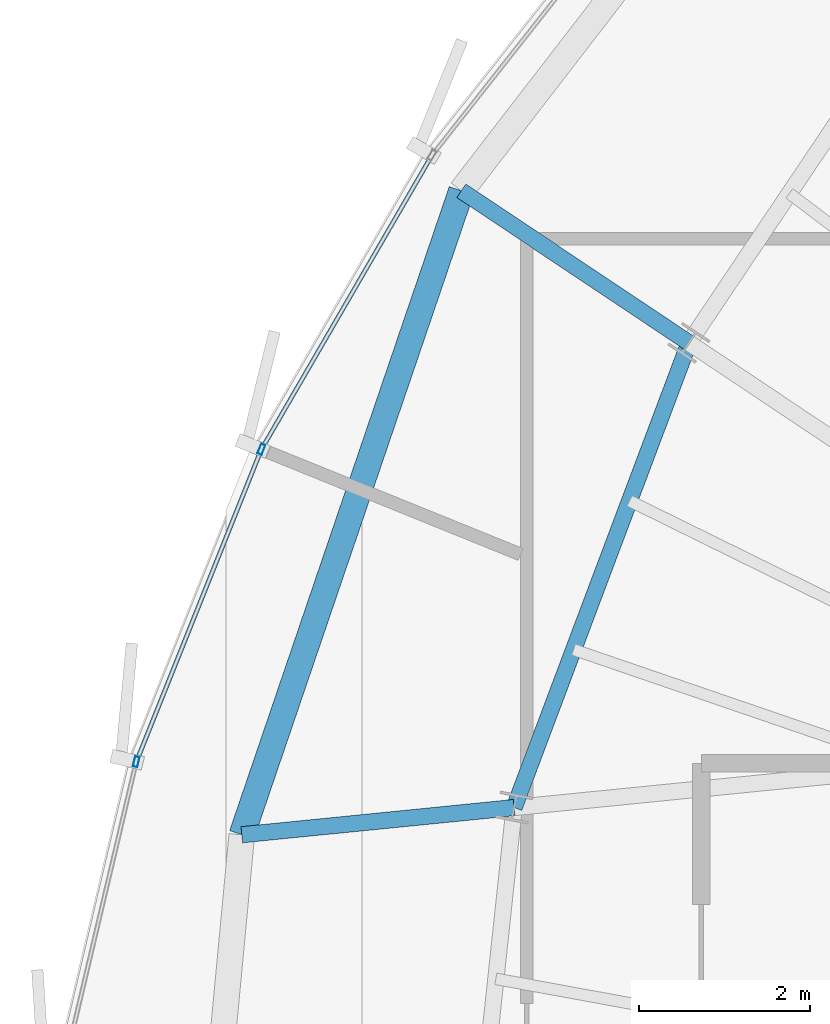
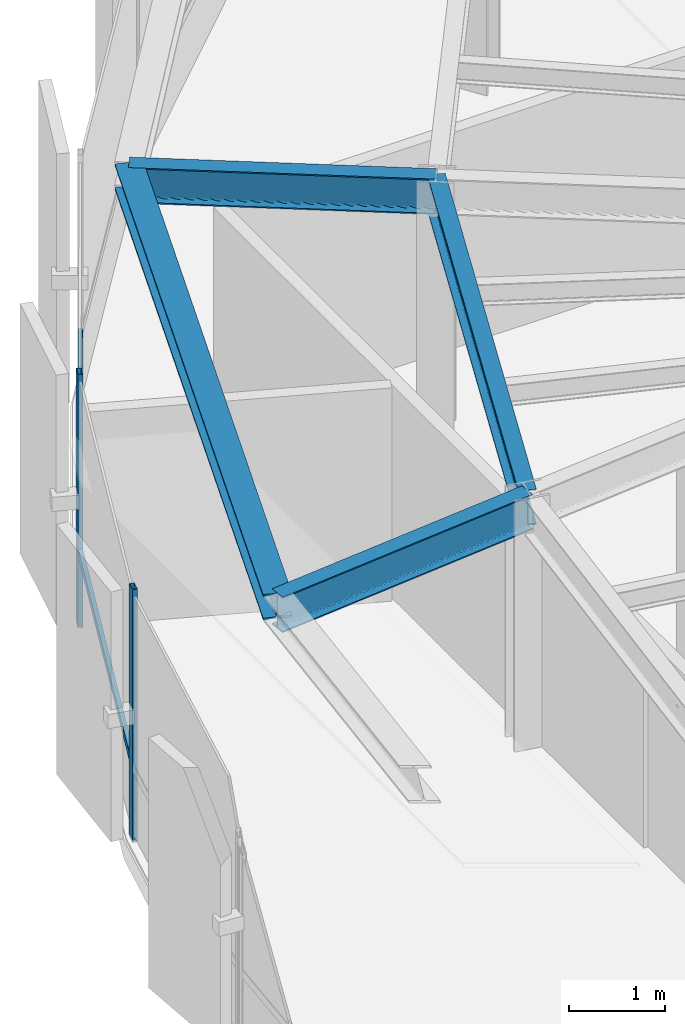
# One storey, part 11 of 34: 4 beams, 4 members, 1 element without a shape of its own.
"""IFC4 building model written with IfcOpenShell, lengths in metres."""

from ifc_helpers import new_model, si_unit, direction, frame, origin, origin_2d, place, context, subcontext, project, spatial, hollow_rectangle, i_section, extrude, source, transform, mapped, material, layer, layer_set, material_profile, profile_set, type_object, element, aggregate, save


model = new_model("IFC4")

# Units and contexts
model_context = context("Model", 3, precision=1e-05, world=origin(), true_north=direction((0.0, 1.0)))
body_context = subcontext(model_context, "Body", "Model", "MODEL_VIEW")
ifc_project = project(units=[si_unit("LENGTHUNIT", "METRE"), si_unit("AREAUNIT", "SQUARE_METRE"), si_unit("VOLUMEUNIT", "CUBIC_METRE"), si_unit("PLANEANGLEUNIT", "RADIAN"), si_unit("MASSUNIT", "GRAM", prefix="KILO"), si_unit("THERMODYNAMICTEMPERATUREUNIT", "KELVIN")], contexts=[model_context])

# Site, building, storey
site_placement = place(None, origin())
site = spatial("IfcSite", under=ifc_project, at=site_placement, CompositionType="ELEMENT")
building_placement = place(site_placement, origin())
building = spatial("IfcBuilding", under=site, at=building_placement, Name="Kethvar Cultural Tower", CompositionType="ELEMENT")
storey_placement = place(building_placement, frame((0.0, 0.0, 259.449951171875)))
storey = spatial("IfcBuildingStorey", under=building, at=storey_placement, Name="L68", CompositionType="ELEMENT", Elevation=259.449951171875)

# Beams
ifc_material_1 = material(Name="Steel S355J2", Category="steel")
ifc_material_profile_1 = material_profile(ifc_material_1, i_section(OverallWidth=0.18994140625, OverallDepth=0.449951171875, WebThickness=0.009521484375, FlangeThickness=0.0146484375, FilletRadius=0.02099609375, at=origin_2d()), Name="Steel S355J2 — IPE450")
ifc_profile_set_1 = profile_set([ifc_material_profile_1], Name="Steel S355J2 — IPE450")
beam_type_1 = type_object("IfcBeamType", Name="BM-IPE450", PredefinedType="BEAM", material=ifc_profile_set_1)
shared_shape_1 = source(origin(), body_context, "Body", "SweptSolid", [
    extrude(i_section(OverallWidth=0.18994140625, OverallDepth=0.449951171875, WebThickness=0.009521484375, FlangeThickness=0.0146484375, FilletRadius=0.02099609375, at=origin_2d()), origin(), (0.0, 0.0, 1.0), 3.2001953125),
])
beam_1_placement = place(storey_placement, frame((32.3125, 30.681884765625, 2.983154296875), z_axis=(-0.995047004836, -0.099405523829, 0.0), x_axis=(0.099405523829, -0.995047004836, 0.0)))
element("IfcBeam", 1, at=beam_1_placement, inside=storey, type_object=beam_type_1, Name="L68 Perimeter Cantilever Beam RC-08", PredefinedType="BEAM", context=body_context, shape_type="MappedRepresentation", body=[
    mapped(shared_shape_1, transform((0.0, 0.0, 0.0), scale=1.0)),
])
shared_shape_2 = source(origin(), body_context, "Body", "SweptSolid", [
    extrude(i_section(OverallWidth=0.18994140625, OverallDepth=0.449951171875, WebThickness=0.009521484375, FlangeThickness=0.0146484375, FilletRadius=0.02099609375, at=origin_2d()), origin(), (0.0, 0.0, 1.0), 3.19970703125),
])
beam_2_placement = place(storey_placement, frame((34.35595703125, 36.114990234375, 2.983154296875), z_axis=(-0.831498187863, 0.55552746429, 0.0), x_axis=(-0.55552746429, -0.831498187863, 0.0)))
element("IfcBeam", 2, at=beam_2_placement, inside=storey, type_object=beam_type_1, Name="L68 Perimeter Cantilever Beam RC-07", PredefinedType="BEAM", context=body_context, shape_type="MappedRepresentation", body=[
    mapped(shared_shape_2, transform((0.0, 0.0, 0.0), scale=1.0)),
])
shared_shape_3 = source(origin(), body_context, "Body", "SweptSolid", [
    extrude(i_section(OverallWidth=0.18994140625, OverallDepth=0.449951171875, WebThickness=0.009521484375, FlangeThickness=0.0146484375, FilletRadius=0.02099609375, at=origin_2d()), origin(), (0.0, 0.0, 1.0), 5.8046875),
])
beam_3_placement = place(storey_placement, frame((34.35595703125, 36.114990234375, 2.983154296875), z_axis=(-0.352035902861, -0.935986497283, 0.0), x_axis=(0.935986497283, -0.352035902861, 0.0)))
element("IfcBeam", 3, at=beam_3_placement, inside=storey, type_object=beam_type_1, Name="L68 Column Ring Tie Beam CR-07", PredefinedType="BEAM", context=body_context, shape_type="MappedRepresentation", body=[
    mapped(shared_shape_3, transform((0.0, 0.0, 0.0), scale=1.0)),
])
ifc_material_profile_2 = material_profile(ifc_material_1, i_section(OverallWidth=0.300048828125, OverallDepth=0.320068359375, WebThickness=0.011474609375, FlangeThickness=0.0205078125, FilletRadius=0.027099609375, at=origin_2d()), Name="Steel S355J2 — HEB320")
ifc_profile_set_2 = profile_set([ifc_material_profile_2], Name="Steel S355J2 — HEB320")
beam_type_2 = type_object("IfcBeamType", Name="BM-SP320", PredefinedType="SPANDREL", material=ifc_profile_set_2)
shared_shape_4 = source(origin(), body_context, "Body", "SweptSolid", [
    extrude(i_section(OverallWidth=0.300048828125, OverallDepth=0.320068359375, WebThickness=0.011474609375, FlangeThickness=0.0205078125, FilletRadius=0.027099609375, at=origin_2d()), origin(), (0.0, 0.0, 1.0), 7.954345703125),
])
beam_4_placement = place(storey_placement, frame((31.6953125, 37.892578125, 3.048095703125), z_axis=(-0.322730170507, -0.946491012659, 0.0), x_axis=(0.946491012659, -0.322730170507, 0.0)))
element("IfcBeam", 4, at=beam_4_placement, inside=storey, type_object=beam_type_2, Name="L68 Perimeter Spandrel Beam SP-07", PredefinedType="SPANDREL", context=body_context, shape_type="MappedRepresentation", body=[
    mapped(shared_shape_4, transform((0.0, 0.0, 0.0), scale=1.0)),
])

# Curtain wall, members
ifc_material_2 = material(Name="Aluminium 6063-T6", Category="aluminium")
ifc_layer = layer(ifc_material_2, 0.179931640625, Name="Aluminium 6063-T6", Category="aluminium")
ifc_layer_set = layer_set([ifc_layer], Name="Aluminium 6063-T6 (180 mm)")
curtain_wall_type = type_object("IfcCurtainWallType", Name="CW-SYS-05-Z56", PredefinedType="NOTDEFINED", material=ifc_layer_set)
curtain_wall_placement = place(storey_placement, origin())
curtain_wall = element("IfcCurtainWall", 5, at=curtain_wall_placement, inside=storey, type_object=curtain_wall_type, Name="L68 Curtain Wall Run 02", PredefinedType="NOTDEFINED")
ifc_material_profile_3 = material_profile(ifc_material_2, hollow_rectangle(XDim=0.054931640625, YDim=0.1201171875, WallThickness=0.00390625, at=origin_2d()), Name="Aluminium 6063-T6 — RHS120x55x4")
ifc_profile_set_3 = profile_set([ifc_material_profile_3], Name="Aluminium 6063-T6 — RHS120x55x4")
member_type_1 = type_object("IfcMemberType", Name="CW-SYS-05-Z56-MUL", PredefinedType="MULLION", material=ifc_profile_set_3)
shared_shape_5 = source(origin(), body_context, "Body", "SweptSolid", [
    extrude(hollow_rectangle(XDim=0.054931640625, YDim=0.1201171875, WallThickness=0.00390625, at=origin_2d()), origin(), (0.0, 0.0, 1.0), 3.2099609375),
])
member_1_placement = place(storey_placement, frame((29.357177734375, 34.869384765625, 0.0), z_axis=(0.0, 0.0, 1.0), x_axis=(0.928420996825, -0.371529881241, 0.0)))
member_1 = element("IfcMember", 6, at=member_1_placement, type_object=member_type_1, Name="CW-L68-R02 Mullion 5", PredefinedType="MULLION", context=body_context, shape_type="MappedRepresentation", body=[
    mapped(shared_shape_5, transform((0.0, 0.0, 0.0), scale=1.0)),
])
member_2_placement = place(storey_placement, frame((27.89404296875, 31.216552734375, 0.0), z_axis=(0.0, 0.0, 1.0), x_axis=(0.973255106649, -0.22972700621, 0.0)))
member_2 = element("IfcMember", 7, at=member_2_placement, type_object=member_type_1, Name="CW-L68-R02 Mullion 6", PredefinedType="MULLION", context=body_context, shape_type="MappedRepresentation", body=[
    mapped(shared_shape_5, transform((0.0, 0.0, 0.0), scale=1.0)),
])
ifc_material_profile_4 = material_profile(ifc_material_2, hollow_rectangle(XDim=0.050048828125, YDim=0.10009765625, WallThickness=0.00390625, at=origin_2d()), Name="Aluminium 6063-T6 — RHS100x50x4")
ifc_profile_set_4 = profile_set([ifc_material_profile_4], Name="Aluminium 6063-T6 — RHS100x50x4")
member_type_2 = type_object("IfcMemberType", Name="CW-SYS-05-Z56-TRN", PredefinedType="USERDEFINED", material=ifc_profile_set_4)
shared_shape_6 = source(origin(), body_context, "Body", "SweptSolid", [
    extrude(hollow_rectangle(XDim=0.050048828125, YDim=0.10009765625, WallThickness=0.00390625, at=origin_2d()), origin(), (0.0, 0.0, 1.0), 3.909912109375),
])
member_3_placement = place(storey_placement, frame((31.331298828125, 38.2734375, 0.949951171875), z_axis=(-0.501462025024, -0.865179656175, 0.0), x_axis=(0.865179656175, -0.501462025024, 0.0)))
member_3 = element("IfcMember", 8, at=member_3_placement, type_object=member_type_2, Name="CW-L68-R02 Transom 4", ObjectType="TRANSOM", PredefinedType="USERDEFINED", context=body_context, shape_type="MappedRepresentation", body=[
    mapped(shared_shape_6, transform((0.0, 0.0, 0.0), scale=1.0)),
])
shared_shape_7 = source(origin(), body_context, "Body", "SweptSolid", [
    extrude(hollow_rectangle(XDim=0.050048828125, YDim=0.10009765625, WallThickness=0.00390625, at=origin_2d()), origin(), (0.0, 0.0, 1.0), 3.870849609375),
])
member_4_placement = place(storey_placement, frame((29.34228515625, 34.832763671875, 0.949951171875), z_axis=(-0.371499420198, -0.928433185961, 0.0), x_axis=(0.928433185961, -0.371499420198, 0.0)))
member_4 = element("IfcMember", 9, at=member_4_placement, type_object=member_type_2, Name="CW-L68-R02 Transom 5", ObjectType="TRANSOM", PredefinedType="USERDEFINED", context=body_context, shape_type="MappedRepresentation", body=[
    mapped(shared_shape_7, transform((0.0, 0.0, 0.0), scale=1.0)),
])
aggregate(curtain_wall, [member_1, member_2, member_3, member_4])

save(model, "model.ifc")
